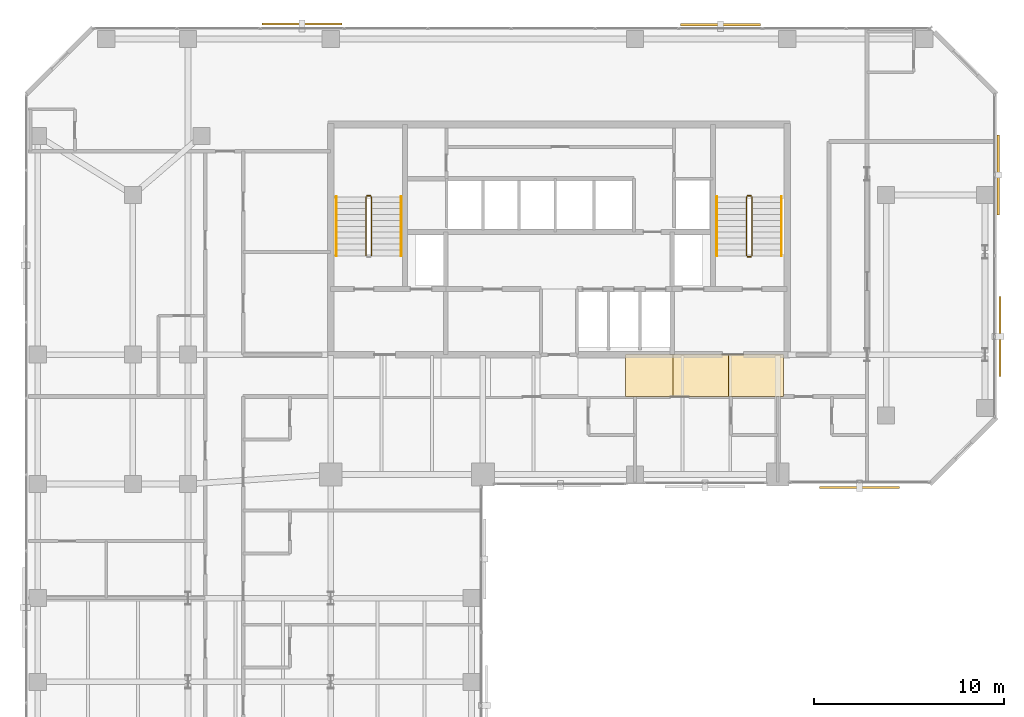
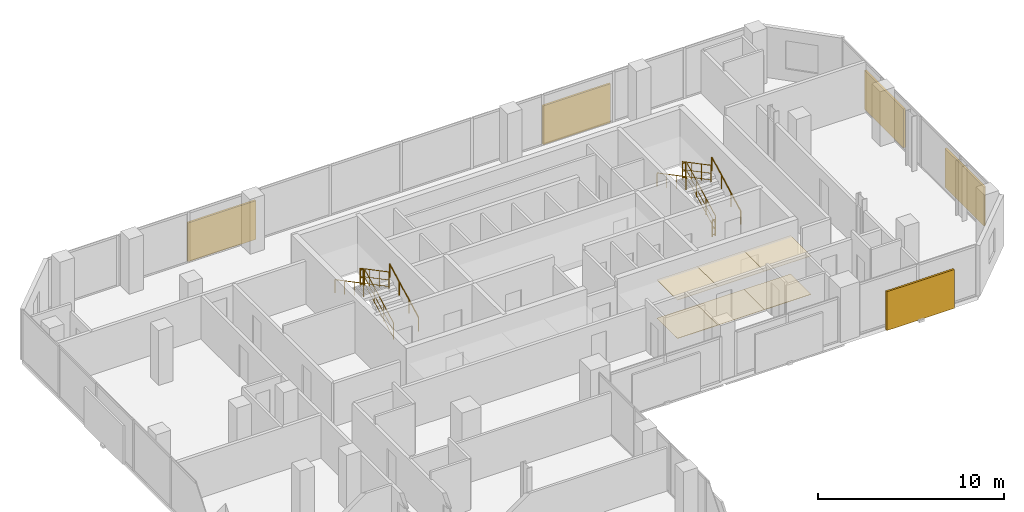
# One storey, part 34 of 34: 11 railings, 6 coverings, 5 shading devices.
"""IFC4 building model written with IfcOpenShell, lengths in metres."""

from ifc_helpers import new_model, si_unit, direction, frame, origin, origin_2d, place, context, subcontext, project, spatial, polyline, rectangle, circle, outline, extrude, material, layer, layer_set, type_object, element, save


model = new_model("IFC4")

# Units and contexts
model_context = context("Model", 3, precision=1e-05, world=origin(), true_north=direction((0.0, 1.0)))
body_context = subcontext(model_context, "Body", "Model", "MODEL_VIEW")
ifc_project = project(units=[si_unit("LENGTHUNIT", "METRE"), si_unit("AREAUNIT", "SQUARE_METRE"), si_unit("VOLUMEUNIT", "CUBIC_METRE"), si_unit("PLANEANGLEUNIT", "RADIAN"), si_unit("MASSUNIT", "GRAM", prefix="KILO")], contexts=[model_context])

# Site, building, storey
site_placement = place(None, origin())
site = spatial("IfcSite", under=ifc_project, at=site_placement, CompositionType="ELEMENT")
building_placement = place(site_placement, origin())
building = spatial("IfcBuilding", under=site, at=building_placement, Name="Catumbela Crestline Tower", CompositionType="ELEMENT")
storey_placement = place(building_placement, frame((0.0, 0.0, 93.6)))
storey = spatial("IfcBuildingStorey", under=building, at=storey_placement, Name="L23", CompositionType="ELEMENT", Elevation=93.6)

# Coverings
ifc_material_1 = material(Name="Mineral-fibre acoustic ceiling")
ifc_layer_1 = layer(ifc_material_1, 0.03, Name="Mineral-fibre acoustic ceiling")
ifc_layer_set_1 = layer_set([ifc_layer_1], Name="Mineral-fibre acoustic ceiling")
covering_type_1 = type_object("IfcCoveringType", Name="CC-AC", PredefinedType="CEILING", material=ifc_layer_set_1)
covering_1_placement = place(storey_placement, frame((0.0, 0.0, 2.52)))
element("IfcCovering", 1, at=covering_1_placement, inside=storey, type_object=covering_type_1, Name="L23 Corridor Acoustic Ceiling Bay 6", PredefinedType="CEILING", context=body_context, shape_type="SweptSolid", body=[
    extrude(outline(polyline([(31.5, 28.6), (34.0, 28.6), (34.0, 30.8), (31.5, 30.8), (31.5, 28.6)])), origin(), (0.0, 0.0, 1.0), 0.03),
])
covering_2_placement = place(storey_placement, frame((0.0, 0.0, 2.52)))
element("IfcCovering", 2, at=covering_2_placement, inside=storey, type_object=covering_type_1, Name="L23 Corridor Acoustic Ceiling Bay 7", PredefinedType="CEILING", context=body_context, shape_type="SweptSolid", body=[
    extrude(outline(polyline([(34.0, 28.6), (36.9, 28.6), (36.9, 30.8), (34.0, 30.8), (34.0, 28.6)])), origin(), (0.0, 0.0, 1.0), 0.03),
])
covering_3_placement = place(storey_placement, frame((0.0, 0.0, 2.52)))
element("IfcCovering", 3, at=covering_3_placement, inside=storey, type_object=covering_type_1, Name="L23 Corridor Acoustic Ceiling Bay 8", PredefinedType="CEILING", context=body_context, shape_type="SweptSolid", body=[
    extrude(outline(polyline([(36.9, 28.6), (39.8, 28.6), (39.8, 30.8), (36.9, 30.8), (36.9, 28.6)])), origin(), (0.0, 0.0, 1.0), 0.03),
])
ifc_material_2 = material(Name="Angolan grey-ochre granite", Category="masonry")
ifc_layer_2 = layer(ifc_material_2, 0.025, Name="Angolan grey-ochre granite")
ifc_layer_set_2 = layer_set([ifc_layer_2], Name="Angolan grey-ochre granite")
covering_type_2 = type_object("IfcCoveringType", Name="CF-GR", PredefinedType="FLOORING", material=ifc_layer_set_2)
covering_4_placement = place(storey_placement, origin())
element("IfcCovering", 4, at=covering_4_placement, inside=storey, type_object=covering_type_2, Name="L23 Corridor Granite Flooring Bay 6", PredefinedType="FLOORING", context=body_context, shape_type="SweptSolid", body=[
    extrude(outline(polyline([(31.5, 28.6), (34.0, 28.6), (34.0, 30.8), (31.5, 30.8), (31.5, 28.6)])), origin(), (0.0, 0.0, 1.0), 0.025),
])
covering_5_placement = place(storey_placement, origin())
element("IfcCovering", 5, at=covering_5_placement, inside=storey, type_object=covering_type_2, Name="L23 Corridor Granite Flooring Bay 7", PredefinedType="FLOORING", context=body_context, shape_type="SweptSolid", body=[
    extrude(outline(polyline([(34.0, 28.6), (36.9, 28.6), (36.9, 30.8), (34.0, 30.8), (34.0, 28.6)])), origin(), (0.0, 0.0, 1.0), 0.025),
])
covering_6_placement = place(storey_placement, origin())
element("IfcCovering", 6, at=covering_6_placement, inside=storey, type_object=covering_type_2, Name="L23 Corridor Granite Flooring Bay 8", PredefinedType="FLOORING", context=body_context, shape_type="SweptSolid", body=[
    extrude(outline(polyline([(36.9, 28.6), (39.8, 28.6), (39.8, 30.8), (36.9, 30.8), (36.9, 28.6)])), origin(), (0.0, 0.0, 1.0), 0.025),
])

# Railings
ifc_material_3 = material(Name="Stainless steel EN 1.4401", Category="steel")
railing_type_1 = type_object("IfcRailingType", Name="RG-1100", PredefinedType="GUARDRAIL", material=ifc_material_3)
railing_1_placement = place(storey_placement, frame((18.14, 36.0, 0.1636)))
element("IfcRailing", 7, at=railing_1_placement, inside=storey, type_object=railing_type_1, Name="L23 ST-01 stair guard 1", PredefinedType="GUARDRAIL", context=body_context, shape_type="SweptSolid", body=[
    extrude(circle(Radius=0.024, at=origin_2d()), frame((0.0, 0.0, 1.076), z_axis=(0.0, 0.884350731049, 0.466823076222), x_axis=(-1.0, 0.0, 0.0)), (0.0, 0.0, 1.0), 3.5054),
    extrude(circle(Radius=0.0156, at=origin_2d()), frame((0.0, 0.0, 0.55), z_axis=(0.0, 0.884350731049, 0.466823076222), x_axis=(-1.0, 0.0, 0.0)), (0.0, 0.0, 1.0), 3.5054),
    extrude(circle(Radius=0.0156, at=origin_2d()), frame((0.0, 0.0, 0.12), z_axis=(0.0, 0.884350731049, 0.466823076222), x_axis=(-1.0, 0.0, 0.0)), (0.0, 0.0, 1.0), 3.5054),
    extrude(circle(Radius=0.021, at=origin_2d()), origin(), (0.0, 0.0, 1.0), 1.052),
    extrude(circle(Radius=0.021, at=origin_2d()), frame((0.0, 1.0333, 0.5455)), (0.0, 0.0, 1.0), 1.052),
    extrude(circle(Radius=0.021, at=origin_2d()), frame((0.0, 2.0667, 1.0909)), (0.0, 0.0, 1.0), 1.052),
    extrude(circle(Radius=0.021, at=origin_2d()), frame((0.0, 3.1, 1.6364)), (0.0, 0.0, 1.0), 1.052),
])
railing_2_placement = place(storey_placement, frame((18.09, 39.15, 1.8)))
element("IfcRailing", 8, at=railing_2_placement, inside=storey, type_object=railing_type_1, Name="L23 ST-01 stair guard 2", PredefinedType="GUARDRAIL", context=body_context, shape_type="SweptSolid", body=[
    extrude(circle(Radius=0.024, at=origin_2d()), frame((0.0, 0.0, 1.076), z_axis=(-1.0, 0.0, 0.0), x_axis=(0.0, -1.0, 0.0)), (0.0, 0.0, 1.0), 0.18),
    extrude(circle(Radius=0.0156, at=origin_2d()), frame((0.0, 0.0, 0.55), z_axis=(-1.0, 0.0, 0.0), x_axis=(0.0, -1.0, 0.0)), (0.0, 0.0, 1.0), 0.18),
    extrude(circle(Radius=0.0156, at=origin_2d()), frame((0.0, 0.0, 0.12), z_axis=(-1.0, 0.0, 0.0), x_axis=(0.0, -1.0, 0.0)), (0.0, 0.0, 1.0), 0.18),
    extrude(circle(Radius=0.021, at=origin_2d()), origin(), (0.0, 0.0, 1.0), 1.052),
    extrude(circle(Radius=0.021, at=origin_2d()), frame((-0.18, 0.0, 0.0)), (0.0, 0.0, 1.0), 1.052),
])
railing_3_placement = place(storey_placement, frame((17.86, 39.1, 1.9636)))
element("IfcRailing", 9, at=railing_3_placement, inside=storey, type_object=railing_type_1, Name="L23 ST-01 stair guard 3", PredefinedType="GUARDRAIL", context=body_context, shape_type="SweptSolid", body=[
    extrude(circle(Radius=0.024, at=origin_2d()), frame((0.0, 0.0, 1.076), z_axis=(0.0, -0.884350731049, 0.466823076222), x_axis=(1.0, 0.0, 0.0)), (0.0, 0.0, 1.0), 3.5054),
    extrude(circle(Radius=0.0156, at=origin_2d()), frame((0.0, 0.0, 0.55), z_axis=(0.0, -0.884350731049, 0.466823076222), x_axis=(1.0, 0.0, 0.0)), (0.0, 0.0, 1.0), 3.5054),
    extrude(circle(Radius=0.0156, at=origin_2d()), frame((0.0, 0.0, 0.12), z_axis=(0.0, -0.884350731049, 0.466823076222), x_axis=(1.0, 0.0, 0.0)), (0.0, 0.0, 1.0), 3.5054),
    extrude(circle(Radius=0.021, at=origin_2d()), origin(), (0.0, 0.0, 1.0), 1.052),
    extrude(circle(Radius=0.021, at=origin_2d()), frame((0.0, -1.0333, 0.5455)), (0.0, 0.0, 1.0), 1.052),
    extrude(circle(Radius=0.021, at=origin_2d()), frame((0.0, -2.0667, 1.0909)), (0.0, 0.0, 1.0), 1.052),
    extrude(circle(Radius=0.021, at=origin_2d()), frame((0.0, -3.1, 1.6364)), (0.0, 0.0, 1.0), 1.052),
])
railing_4_placement = place(storey_placement, frame((38.14, 36.0, 0.1636)))
element("IfcRailing", 10, at=railing_4_placement, inside=storey, type_object=railing_type_1, Name="L23 ST-02 stair guard 1", PredefinedType="GUARDRAIL", context=body_context, shape_type="SweptSolid", body=[
    extrude(circle(Radius=0.024, at=origin_2d()), frame((0.0, 0.0, 1.076), z_axis=(0.0, 0.884350731049, 0.466823076222), x_axis=(-1.0, 0.0, 0.0)), (0.0, 0.0, 1.0), 3.5054),
    extrude(circle(Radius=0.0156, at=origin_2d()), frame((0.0, 0.0, 0.55), z_axis=(0.0, 0.884350731049, 0.466823076222), x_axis=(-1.0, 0.0, 0.0)), (0.0, 0.0, 1.0), 3.5054),
    extrude(circle(Radius=0.0156, at=origin_2d()), frame((0.0, 0.0, 0.12), z_axis=(0.0, 0.884350731049, 0.466823076222), x_axis=(-1.0, 0.0, 0.0)), (0.0, 0.0, 1.0), 3.5054),
    extrude(circle(Radius=0.021, at=origin_2d()), origin(), (0.0, 0.0, 1.0), 1.052),
    extrude(circle(Radius=0.021, at=origin_2d()), frame((0.0, 1.0333, 0.5455)), (0.0, 0.0, 1.0), 1.052),
    extrude(circle(Radius=0.021, at=origin_2d()), frame((0.0, 2.0667, 1.0909)), (0.0, 0.0, 1.0), 1.052),
    extrude(circle(Radius=0.021, at=origin_2d()), frame((0.0, 3.1, 1.6364)), (0.0, 0.0, 1.0), 1.052),
])
railing_5_placement = place(storey_placement, frame((38.09, 39.15, 1.8)))
element("IfcRailing", 11, at=railing_5_placement, inside=storey, type_object=railing_type_1, Name="L23 ST-02 stair guard 2", PredefinedType="GUARDRAIL", context=body_context, shape_type="SweptSolid", body=[
    extrude(circle(Radius=0.024, at=origin_2d()), frame((0.0, 0.0, 1.076), z_axis=(-1.0, 0.0, 0.0), x_axis=(0.0, -1.0, 0.0)), (0.0, 0.0, 1.0), 0.18),
    extrude(circle(Radius=0.0156, at=origin_2d()), frame((0.0, 0.0, 0.55), z_axis=(-1.0, 0.0, 0.0), x_axis=(0.0, -1.0, 0.0)), (0.0, 0.0, 1.0), 0.18),
    extrude(circle(Radius=0.0156, at=origin_2d()), frame((0.0, 0.0, 0.12), z_axis=(-1.0, 0.0, 0.0), x_axis=(0.0, -1.0, 0.0)), (0.0, 0.0, 1.0), 0.18),
    extrude(circle(Radius=0.021, at=origin_2d()), origin(), (0.0, 0.0, 1.0), 1.052),
    extrude(circle(Radius=0.021, at=origin_2d()), frame((-0.18, 0.0, 0.0)), (0.0, 0.0, 1.0), 1.052),
])
railing_6_placement = place(storey_placement, frame((37.86, 39.1, 1.9636)))
element("IfcRailing", 12, at=railing_6_placement, inside=storey, type_object=railing_type_1, Name="L23 ST-02 stair guard 3", PredefinedType="GUARDRAIL", context=body_context, shape_type="SweptSolid", body=[
    extrude(circle(Radius=0.024, at=origin_2d()), frame((0.0, 0.0, 1.076), z_axis=(0.0, -0.884350731049, 0.466823076222), x_axis=(1.0, 0.0, 0.0)), (0.0, 0.0, 1.0), 3.5054),
    extrude(circle(Radius=0.0156, at=origin_2d()), frame((0.0, 0.0, 0.55), z_axis=(0.0, -0.884350731049, 0.466823076222), x_axis=(1.0, 0.0, 0.0)), (0.0, 0.0, 1.0), 3.5054),
    extrude(circle(Radius=0.0156, at=origin_2d()), frame((0.0, 0.0, 0.12), z_axis=(0.0, -0.884350731049, 0.466823076222), x_axis=(1.0, 0.0, 0.0)), (0.0, 0.0, 1.0), 3.5054),
    extrude(circle(Radius=0.021, at=origin_2d()), origin(), (0.0, 0.0, 1.0), 1.052),
    extrude(circle(Radius=0.021, at=origin_2d()), frame((0.0, -1.0333, 0.5455)), (0.0, 0.0, 1.0), 1.052),
    extrude(circle(Radius=0.021, at=origin_2d()), frame((0.0, -2.0667, 1.0909)), (0.0, 0.0, 1.0), 1.052),
    extrude(circle(Radius=0.021, at=origin_2d()), frame((0.0, -3.1, 1.6364)), (0.0, 0.0, 1.0), 1.052),
])
railing_7_placement = place(storey_placement, frame((38.09, 35.95, 0.0)))
element("IfcRailing", 13, at=railing_7_placement, inside=storey, type_object=railing_type_1, Name="L23 ST-02 stair guard 4", PredefinedType="GUARDRAIL", context=body_context, shape_type="SweptSolid", body=[
    extrude(circle(Radius=0.024, at=origin_2d()), frame((0.0, 0.0, 1.076), z_axis=(-1.0, 0.0, 0.0), x_axis=(0.0, -1.0, 0.0)), (0.0, 0.0, 1.0), 0.18),
    extrude(circle(Radius=0.0156, at=origin_2d()), frame((0.0, 0.0, 0.55), z_axis=(-1.0, 0.0, 0.0), x_axis=(0.0, -1.0, 0.0)), (0.0, 0.0, 1.0), 0.18),
    extrude(circle(Radius=0.0156, at=origin_2d()), frame((0.0, 0.0, 0.12), z_axis=(-1.0, 0.0, 0.0), x_axis=(0.0, -1.0, 0.0)), (0.0, 0.0, 1.0), 0.18),
    extrude(circle(Radius=0.021, at=origin_2d()), origin(), (0.0, 0.0, 1.0), 1.052),
    extrude(circle(Radius=0.021, at=origin_2d()), frame((-0.18, 0.0, 0.0)), (0.0, 0.0, 1.0), 1.052),
])
railing_type_2 = type_object("IfcRailingType", Name="RH-0900", PredefinedType="HANDRAIL", material=ifc_material_3)
railing_8_placement = place(storey_placement, frame((19.7, 36.0, 0.1636)))
element("IfcRailing", 14, at=railing_8_placement, inside=storey, type_object=railing_type_2, Name="L23 ST-01 stair handrail 1", PredefinedType="HANDRAIL", context=body_context, shape_type="SweptSolid", body=[
    extrude(circle(Radius=0.024, at=origin_2d()), frame((0.0, 0.0, 0.876), z_axis=(0.0, 0.884350731049, 0.466823076222), x_axis=(-1.0, 0.0, 0.0)), (0.0, 0.0, 1.0), 3.5054),
    extrude(circle(Radius=0.021, at=origin_2d()), origin(), (0.0, 0.0, 1.0), 0.852),
    extrude(circle(Radius=0.021, at=origin_2d()), frame((0.0, 1.0333, 0.5455)), (0.0, 0.0, 1.0), 0.852),
    extrude(circle(Radius=0.021, at=origin_2d()), frame((0.0, 2.0667, 1.0909)), (0.0, 0.0, 1.0), 0.852),
    extrude(circle(Radius=0.021, at=origin_2d()), frame((0.0, 3.1, 1.6364)), (0.0, 0.0, 1.0), 0.852),
])
railing_9_placement = place(storey_placement, frame((16.3, 39.1, 1.9636)))
element("IfcRailing", 15, at=railing_9_placement, inside=storey, type_object=railing_type_2, Name="L23 ST-01 stair handrail 2", PredefinedType="HANDRAIL", context=body_context, shape_type="SweptSolid", body=[
    extrude(circle(Radius=0.024, at=origin_2d()), frame((0.0, 0.0, 0.876), z_axis=(0.0, -0.884350731049, 0.466823076222), x_axis=(1.0, 0.0, 0.0)), (0.0, 0.0, 1.0), 3.5054),
    extrude(circle(Radius=0.021, at=origin_2d()), origin(), (0.0, 0.0, 1.0), 0.852),
    extrude(circle(Radius=0.021, at=origin_2d()), frame((0.0, -1.0333, 0.5455)), (0.0, 0.0, 1.0), 0.852),
    extrude(circle(Radius=0.021, at=origin_2d()), frame((0.0, -2.0667, 1.0909)), (0.0, 0.0, 1.0), 0.852),
    extrude(circle(Radius=0.021, at=origin_2d()), frame((0.0, -3.1, 1.6364)), (0.0, 0.0, 1.0), 0.852),
])
railing_10_placement = place(storey_placement, frame((39.7, 36.0, 0.1636)))
element("IfcRailing", 16, at=railing_10_placement, inside=storey, type_object=railing_type_2, Name="L23 ST-02 stair handrail 1", PredefinedType="HANDRAIL", context=body_context, shape_type="SweptSolid", body=[
    extrude(circle(Radius=0.024, at=origin_2d()), frame((0.0, 0.0, 0.876), z_axis=(0.0, 0.884350731049, 0.466823076222), x_axis=(-1.0, 0.0, 0.0)), (0.0, 0.0, 1.0), 3.5054),
    extrude(circle(Radius=0.021, at=origin_2d()), origin(), (0.0, 0.0, 1.0), 0.852),
    extrude(circle(Radius=0.021, at=origin_2d()), frame((0.0, 1.0333, 0.5455)), (0.0, 0.0, 1.0), 0.852),
    extrude(circle(Radius=0.021, at=origin_2d()), frame((0.0, 2.0667, 1.0909)), (0.0, 0.0, 1.0), 0.852),
    extrude(circle(Radius=0.021, at=origin_2d()), frame((0.0, 3.1, 1.6364)), (0.0, 0.0, 1.0), 0.852),
])
railing_11_placement = place(storey_placement, frame((36.3, 39.1, 1.9636)))
element("IfcRailing", 17, at=railing_11_placement, inside=storey, type_object=railing_type_2, Name="L23 ST-02 stair handrail 2", PredefinedType="HANDRAIL", context=body_context, shape_type="SweptSolid", body=[
    extrude(circle(Radius=0.024, at=origin_2d()), frame((0.0, 0.0, 0.876), z_axis=(0.0, -0.884350731049, 0.466823076222), x_axis=(1.0, 0.0, 0.0)), (0.0, 0.0, 1.0), 3.5054),
    extrude(circle(Radius=0.021, at=origin_2d()), origin(), (0.0, 0.0, 1.0), 0.852),
    extrude(circle(Radius=0.021, at=origin_2d()), frame((0.0, -1.0333, 0.5455)), (0.0, 0.0, 1.0), 0.852),
    extrude(circle(Radius=0.021, at=origin_2d()), frame((0.0, -2.0667, 1.0909)), (0.0, 0.0, 1.0), 0.852),
    extrude(circle(Radius=0.021, at=origin_2d()), frame((0.0, -3.1, 1.6364)), (0.0, 0.0, 1.0), 0.852),
])

# Shading devices
ifc_material_4 = material(Name="Extruded terracotta ceramic", Category="masonry")
shading_device_type_1 = type_object("IfcShadingDeviceType", Name="ST-180", PredefinedType="USERDEFINED", material=ifc_material_4)
shading_device_1_placement = place(storey_placement, frame((51.099, 40.25, -0.1), z_axis=(0.0, 0.0, 1.0), x_axis=(0.0, 1.0, 0.0)))
element("IfcShadingDevice", 18, at=shading_device_1_placement, inside=storey, type_object=shading_device_type_1, Name="L23 Perforated Terracotta Solar Screen 232 (180 mm)", ObjectType="SCREEN", PredefinedType="USERDEFINED", context=body_context, shape_type="SweptSolid", body=[
    extrude(rectangle(XDim=4.2, YDim=0.12, at=origin_2d()), origin(), (0.0, 0.0, 1.0), 2.55),
])
shading_device_type_2 = type_object("IfcShadingDeviceType", Name="ST-260", PredefinedType="USERDEFINED", material=ifc_material_4)
shading_device_2_placement = place(storey_placement, frame((36.5, 48.143, -0.1), z_axis=(0.0, 0.0, 1.0), x_axis=(-1.0, 0.0, 0.0)))
element("IfcShadingDevice", 19, at=shading_device_2_placement, inside=storey, type_object=shading_device_type_2, Name="L23 Perforated Terracotta Solar Screen 233 (260 mm)", ObjectType="SCREEN", PredefinedType="USERDEFINED", context=body_context, shape_type="SweptSolid", body=[
    extrude(rectangle(XDim=4.2, YDim=0.12, at=origin_2d()), origin(), (0.0, 0.0, 1.0), 2.55),
])
shading_device_type_3 = type_object("IfcShadingDeviceType", Name="ST-340", PredefinedType="USERDEFINED", material=ifc_material_4)
for number, where, z_axis, x_axis, name in (
    (20, (43.8, 23.813, -0.1), (0.0, 0.0, 1.0), (1.0, 0.0, 0.0), "L23 Perforated Terracotta Solar Screen 230 (340 mm)"),
    (21, (51.187, 31.75, -0.1), (0.0, 0.0, 1.0), (0.0, 1.0, 0.0), "L23 Perforated Terracotta Solar Screen 231 (340 mm)"),
    (22, (14.5, 48.187, -0.1), (0.0, 0.0, 1.0), (-1.0, 0.0, 0.0), "L23 Perforated Terracotta Solar Screen 234 (340 mm)"),
):
    element("IfcShadingDevice", number, at=place(storey_placement, frame(where, z_axis=z_axis, x_axis=x_axis)), inside=storey, type_object=shading_device_type_3, Name=name, ObjectType="SCREEN", PredefinedType="USERDEFINED", context=body_context, shape_type="SweptSolid", body=[
        extrude(rectangle(XDim=4.2, YDim=0.12, at=origin_2d()), origin(), (0.0, 0.0, 1.0), 2.55),
    ])

save(model, "model.ifc")
